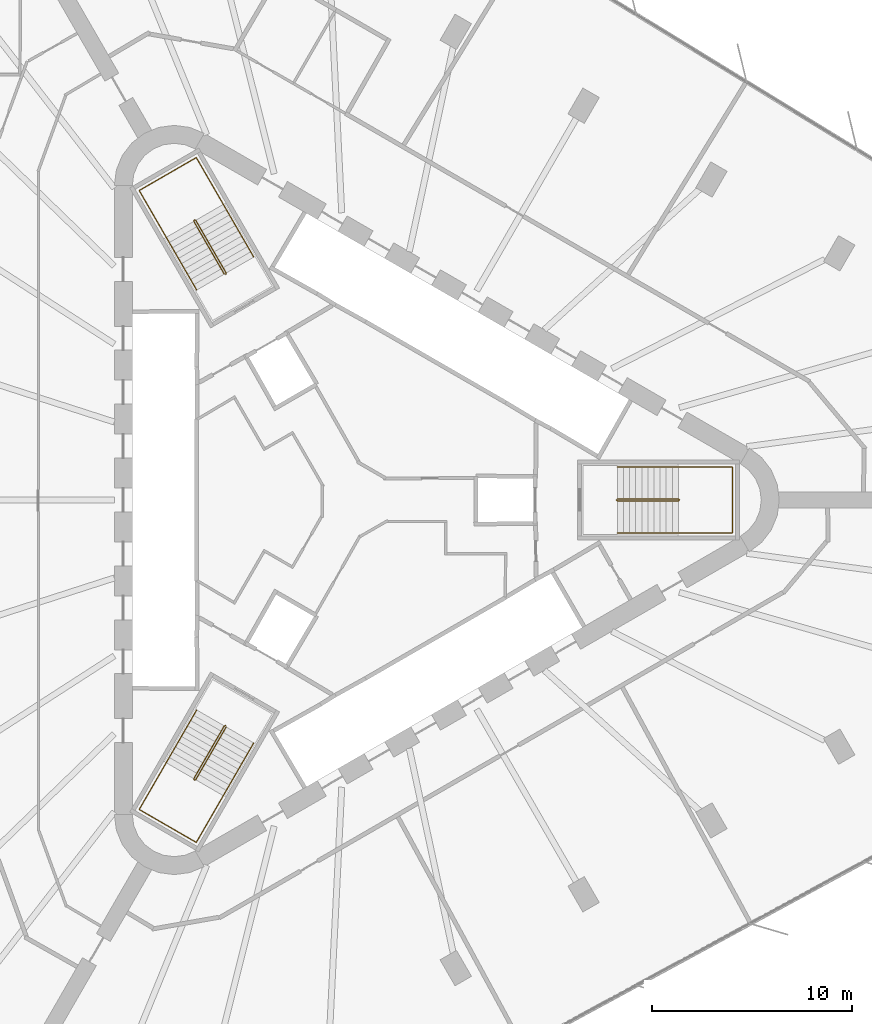
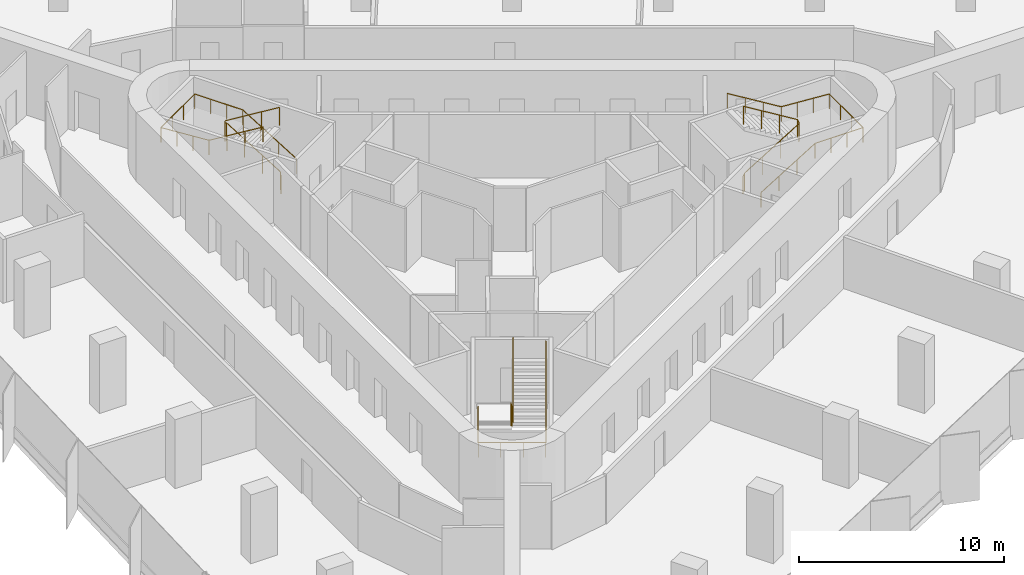
# One storey, part 14 of 14: 6 railings.
"""IFC4 building model written with IfcOpenShell, lengths in metres."""

from ifc_helpers import new_model, si_unit, direction, frame, origin, origin_2d, place, context, subcontext, project, spatial, circle, extrude, material, type_object, element, save


model = new_model("IFC4")

# Units and contexts
model_context = context("Model", 3, precision=1e-05, world=origin(), true_north=direction((0.0, 1.0)))
body_context = subcontext(model_context, "Body", "Model", "MODEL_VIEW")
ifc_project = project(units=[si_unit("LENGTHUNIT", "METRE"), si_unit("AREAUNIT", "SQUARE_METRE"), si_unit("VOLUMEUNIT", "CUBIC_METRE"), si_unit("PLANEANGLEUNIT", "RADIAN"), si_unit("MASSUNIT", "GRAM", prefix="KILO")], contexts=[model_context])

# Site, building, storey
site_placement = place(None, origin())
site = spatial("IfcSite", under=ifc_project, at=site_placement, CompositionType="ELEMENT")
building_placement = place(site_placement, origin())
building = spatial("IfcBuilding", under=site, at=building_placement, Name="Tanit Gate Tower", CompositionType="ELEMENT")
storey_placement = place(building_placement, frame((0.0, 0.0, 119.300048828125)))
storey = spatial("IfcBuildingStorey", under=building, at=storey_placement, Name="L25", CompositionType="ELEMENT", Elevation=119.300048828125)

# Railings
ifc_material_1 = material(Name="Stainless steel balustrade", Category="steel")
railing_type_1 = type_object("IfcRailingType", Name="INT-STAIR-GUARD", PredefinedType="GUARDRAIL", material=ifc_material_1)
railing_1_placement = place(storey_placement, frame((13.044921875, 0.0048828125, 0.0)))
element("IfcRailing", 1, at=railing_1_placement, inside=storey, type_object=railing_type_1, Name="L25 S1 stair guard 1", PredefinedType="GUARDRAIL", context=body_context, shape_type="SweptSolid", body=[
    extrude(circle(Radius=0.02392578125, at=origin_2d()), frame((0.0, 0.0, 1.076171875), z_axis=(0.0, -1.0, 0.0), x_axis=(1.0, 0.0, 0.0)), (0.0, 0.0, 1.0), 0.009765625),
    extrude(circle(Radius=0.02392578125, at=origin_2d()), frame((0.0, -0.009765625, 1.076171875), z_axis=(0.251157038772, -0.251157038772, 0.934794246747), x_axis=(0.707106781187, 0.707106781187, 0.0)), (0.0, 0.0, 1.0), 0.19921875),
    extrude(circle(Radius=0.02392578125, at=origin_2d()), frame((0.050048828125, -0.059814453125, 1.26220703125), z_axis=(0.853374658889, 0.0, 0.521298083217), x_axis=(0.0, 1.0, 0.0)), (0.0, 0.0, 1.0), 3.5751953125),
    extrude(circle(Radius=0.02392578125, at=origin_2d()), frame((3.10107421875, -0.059814453125, 3.1259765625), z_axis=(0.707106781187, 0.707106781187, 0.0), x_axis=(-0.707106781187, 0.707106781187, 0.0)), (0.0, 0.0, 1.0), 0.07080078125),
    extrude(circle(Radius=0.02392578125, at=origin_2d()), frame((3.151123046875, -0.009765625, 3.1259765625), z_axis=(0.0, 1.0, 0.0), x_axis=(-1.0, 0.0, 0.0)), (0.0, 0.0, 1.0), 0.009765625),
    extrude(circle(Radius=0.02392578125, at=origin_2d()), frame((3.151123046875, 0.0, 3.1259765625), z_axis=(-0.251157038772, 0.251157038772, 0.934794246747), x_axis=(-0.707106781187, -0.707106781187, 0.0)), (0.0, 0.0, 1.0), 0.19921875),
    extrude(circle(Radius=0.02392578125, at=origin_2d()), frame((3.10107421875, 0.050048828125, 3.3125), z_axis=(-0.853405036568, 0.0, 0.521248351134), x_axis=(0.0, -1.0, 0.0)), (0.0, 0.0, 1.0), 3.5751953125),
    extrude(circle(Radius=0.02099609375, at=origin_2d()), origin(), (0.0, 0.0, 1.0), 1.052001953125),
    extrude(circle(Radius=0.02099609375, at=origin_2d()), frame((0.0, -0.009765625, 0.0)), (0.0, 0.0, 1.0), 1.052001953125),
    extrude(circle(Radius=0.02099609375, at=origin_2d()), frame((0.050048828125, -0.059814453125, 0.186279296875)), (0.0, 0.0, 1.0), 1.052001953125),
    extrude(circle(Radius=0.02099609375, at=origin_2d()), frame((1.067138671875, -0.059814453125, 0.8076171875)), (0.0, 0.0, 1.0), 1.052001953125),
    extrude(circle(Radius=0.02099609375, at=origin_2d()), frame((2.083984375, -0.059814453125, 1.4287109375)), (0.0, 0.0, 1.0), 1.052001953125),
    extrude(circle(Radius=0.02099609375, at=origin_2d()), frame((3.10107421875, -0.059814453125, 2.050048828125)), (0.0, 0.0, 1.0), 1.052001953125),
    extrude(circle(Radius=0.02099609375, at=origin_2d()), frame((3.151123046875, -0.009765625, 2.050048828125)), (0.0, 0.0, 1.0), 1.052001953125),
    extrude(circle(Radius=0.02099609375, at=origin_2d()), frame((3.151123046875, 0.0, 2.050048828125)), (0.0, 0.0, 1.0), 1.052001953125),
    extrude(circle(Radius=0.02099609375, at=origin_2d()), frame((3.10107421875, 0.050048828125, 2.236328125)), (0.0, 0.0, 1.0), 1.052001953125),
    extrude(circle(Radius=0.02099609375, at=origin_2d()), frame((2.083984375, 0.050048828125, 2.857421875)), (0.0, 0.0, 1.0), 1.052001953125),
    extrude(circle(Radius=0.02099609375, at=origin_2d()), frame((1.067138671875, 0.050048828125, 3.478759765625)), (0.0, 0.0, 1.0), 1.052001953125),
    extrude(circle(Radius=0.02099609375, at=origin_2d()), frame((0.050048828125, 0.050048828125, 4.099853515625)), (0.0, 0.0, 1.0), 1.052001953125),
])
railing_2_placement = place(storey_placement, frame((-6.527099609375, 11.29345703125, 0.0)))
element("IfcRailing", 2, at=railing_2_placement, inside=storey, type_object=railing_type_1, Name="L25 S2 stair guard 1", PredefinedType="GUARDRAIL", context=body_context, shape_type="SweptSolid", body=[
    extrude(circle(Radius=0.02392578125, at=origin_2d()), frame((0.0, 0.0, 1.076171875), z_axis=(0.868243142124, 0.496138938357, 0.0), x_axis=(-0.496138938357, 0.868243142124, 0.0)), (0.0, 0.0, 1.0), 0.01171875),
    extrude(circle(Radius=0.02392578125, at=origin_2d()), frame((0.01025390625, 0.005859375, 1.076171875), z_axis=(0.091888445584, 0.343050196848, 0.93481178641), x_axis=(-0.965948051503, 0.258736085224, 0.0)), (0.0, 0.0, 1.0), 0.19921875),
    extrude(circle(Radius=0.02392578125, at=origin_2d()), frame((0.028564453125, 0.07421875, 1.26220703125), z_axis=(-0.426636495959, 0.738911183393, 0.521528104107), x_axis=(-0.866012246495, -0.500022788402, 0.0)), (0.0, 0.0, 1.0), 3.57373046875),
    extrude(circle(Radius=0.02392578125, at=origin_2d()), frame((-1.49609375, 2.71484375, 3.1259765625), z_axis=(-0.965715946433, 0.259601060869, 0.0), x_axis=(-0.259601060869, -0.965715946433, 0.0)), (0.0, 0.0, 1.0), 0.070556640625),
    extrude(circle(Radius=0.02392578125, at=origin_2d()), frame((-1.564208984375, 2.733154296875, 3.1259765625), z_axis=(-0.873197702015, -0.487366159264, 0.0), x_axis=(0.487366159264, -0.873197702015, 0.0)), (0.0, 0.0, 1.0), 0.011962890625),
    extrude(circle(Radius=0.02392578125, at=origin_2d()), frame((-1.57470703125, 2.727294921875, 3.1259765625), z_axis=(-0.091888445584, -0.343050196848, 0.93481178641), x_axis=(0.965948051503, -0.258736085224, 0.0)), (0.0, 0.0, 1.0), 0.19921875),
    extrude(circle(Radius=0.02392578125, at=origin_2d()), frame((-1.593017578125, 2.658935546875, 3.3125), z_axis=(0.426651696395, -0.73893750972, 0.521478366466), x_axis=(0.866012246495, 0.500022788402, 0.0)), (0.0, 0.0, 1.0), 3.573486328125),
    extrude(circle(Radius=0.02099609375, at=origin_2d()), origin(), (0.0, 0.0, 1.0), 1.052001953125),
    extrude(circle(Radius=0.02099609375, at=origin_2d()), frame((0.01025390625, 0.005859375, 0.0)), (0.0, 0.0, 1.0), 1.052001953125),
    extrude(circle(Radius=0.02099609375, at=origin_2d()), frame((0.028564453125, 0.07421875, 0.186279296875)), (0.0, 0.0, 1.0), 1.052001953125),
    extrude(circle(Radius=0.02099609375, at=origin_2d()), frame((-0.479736328125, 0.954345703125, 0.8076171875)), (0.0, 0.0, 1.0), 1.052001953125),
    extrude(circle(Radius=0.02099609375, at=origin_2d()), frame((-0.98779296875, 1.834716796875, 1.4287109375)), (0.0, 0.0, 1.0), 1.052001953125),
    extrude(circle(Radius=0.02099609375, at=origin_2d()), frame((-1.49609375, 2.71484375, 2.050048828125)), (0.0, 0.0, 1.0), 1.052001953125),
    extrude(circle(Radius=0.02099609375, at=origin_2d()), frame((-1.564208984375, 2.733154296875, 2.050048828125)), (0.0, 0.0, 1.0), 1.052001953125),
    extrude(circle(Radius=0.02099609375, at=origin_2d()), frame((-1.57470703125, 2.727294921875, 2.050048828125)), (0.0, 0.0, 1.0), 1.052001953125),
    extrude(circle(Radius=0.02099609375, at=origin_2d()), frame((-1.593017578125, 2.658935546875, 2.236328125)), (0.0, 0.0, 1.0), 1.052001953125),
    extrude(circle(Radius=0.02099609375, at=origin_2d()), frame((-1.084716796875, 1.77880859375, 2.857421875)), (0.0, 0.0, 1.0), 1.052001953125),
    extrude(circle(Radius=0.02099609375, at=origin_2d()), frame((-0.57666015625, 0.8984375, 3.478759765625)), (0.0, 0.0, 1.0), 1.052001953125),
    extrude(circle(Radius=0.02099609375, at=origin_2d()), frame((-0.068359375, 0.018310546875, 4.099853515625)), (0.0, 0.0, 1.0), 1.052001953125),
])
railing_3_placement = place(storey_placement, frame((-6.51806640625, -11.2998046875, 0.0)))
element("IfcRailing", 3, at=railing_3_placement, inside=storey, type_object=railing_type_1, Name="L25 S3 stair guard 1", PredefinedType="GUARDRAIL", context=body_context, shape_type="SweptSolid", body=[
    extrude(circle(Radius=0.02392578125, at=origin_2d()), frame((0.0, 0.0, 1.076171875), z_axis=(-0.874157276122, 0.485642931179, 0.0), x_axis=(-0.485642931179, -0.874157276122, 0.0)), (0.0, 0.0, 1.0), 0.010009765625),
    extrude(circle(Radius=0.02392578125, at=origin_2d()), frame((-0.0087890625, 0.0048828125, 1.076171875), z_axis=(-0.343088566343, -0.090673406819, 0.934916343285), x_axis=(0.255512919477, -0.966805641264, 0.0)), (0.0, 0.0, 1.0), 0.19921875),
    extrude(circle(Radius=0.02392578125, at=origin_2d()), frame((-0.0771484375, -0.01318359375, 1.26220703125), z_axis=(-0.42665336134, -0.739063593114, 0.52129829713), x_axis=(0.866048339477, -0.499960272111, 0.0)), (0.0, 0.0, 1.0), 3.5751953125),
    extrude(circle(Radius=0.02392578125, at=origin_2d()), frame((-1.6025390625, -2.655517578125, 3.1259765625), z_axis=(0.258736085224, -0.965948051503, 0.0), x_axis=(0.965948051503, 0.258736085224, 0.0)), (0.0, 0.0, 1.0), 0.07080078125),
    extrude(circle(Radius=0.02392578125, at=origin_2d()), frame((-1.584228515625, -2.723876953125, 3.1259765625), z_axis=(0.868243142124, -0.496138938357, 0.0), x_axis=(0.496138938357, 0.868243142124, 0.0)), (0.0, 0.0, 1.0), 0.009765625),
    extrude(circle(Radius=0.02392578125, at=origin_2d()), frame((-1.57568359375, -2.728759765625, 3.1259765625), z_axis=(0.343050196848, 0.091888445584, 0.93481178641), x_axis=(-0.258736085224, 0.965948051503, 0.0)), (0.0, 0.0, 1.0), 0.19921875),
    extrude(circle(Radius=0.02392578125, at=origin_2d()), frame((-1.50732421875, -2.71044921875, 3.3125), z_axis=(0.426745940485, 0.73903737685, 0.521259683745), x_axis=(-0.865993683553, 0.500054937028, 0.0)), (0.0, 0.0, 1.0), 3.574951171875),
    extrude(circle(Radius=0.02099609375, at=origin_2d()), origin(), (0.0, 0.0, 1.0), 1.052001953125),
    extrude(circle(Radius=0.02099609375, at=origin_2d()), frame((-0.0087890625, 0.0048828125, 0.0)), (0.0, 0.0, 1.0), 1.052001953125),
    extrude(circle(Radius=0.02099609375, at=origin_2d()), frame((-0.0771484375, -0.01318359375, 0.186279296875)), (0.0, 0.0, 1.0), 1.052001953125),
    extrude(circle(Radius=0.02099609375, at=origin_2d()), frame((-0.585693359375, -0.89404296875, 0.8076171875)), (0.0, 0.0, 1.0), 1.052001953125),
    extrude(circle(Radius=0.02099609375, at=origin_2d()), frame((-1.093994140625, -1.774658203125, 1.4287109375)), (0.0, 0.0, 1.0), 1.052001953125),
    extrude(circle(Radius=0.02099609375, at=origin_2d()), frame((-1.6025390625, -2.655517578125, 2.050048828125)), (0.0, 0.0, 1.0), 1.052001953125),
    extrude(circle(Radius=0.02099609375, at=origin_2d()), frame((-1.584228515625, -2.723876953125, 2.050048828125)), (0.0, 0.0, 1.0), 1.052001953125),
    extrude(circle(Radius=0.02099609375, at=origin_2d()), frame((-1.57568359375, -2.728759765625, 2.050048828125)), (0.0, 0.0, 1.0), 1.052001953125),
    extrude(circle(Radius=0.02099609375, at=origin_2d()), frame((-1.50732421875, -2.71044921875, 2.236328125)), (0.0, 0.0, 1.0), 1.052001953125),
    extrude(circle(Radius=0.02099609375, at=origin_2d()), frame((-0.998779296875, -1.829833984375, 2.857421875)), (0.0, 0.0, 1.0), 1.052001953125),
    extrude(circle(Radius=0.02099609375, at=origin_2d()), frame((-0.490234375, -0.948974609375, 3.478759765625)), (0.0, 0.0, 1.0), 1.052001953125),
    extrude(circle(Radius=0.02099609375, at=origin_2d()), frame((0.018310546875, -0.068359375, 4.099853515625)), (0.0, 0.0, 1.0), 1.052001953125),
])
ifc_material_2 = material(Name="Stainless steel handrail", Category="steel")
railing_type_2 = type_object("IfcRailingType", Name="INT-STAIR-HANDRAIL", PredefinedType="HANDRAIL", material=ifc_material_2)
railing_4_placement = place(storey_placement, frame((13.094970703125, -1.64990234375, 0.186279296875)))
element("IfcRailing", 4, at=railing_4_placement, inside=storey, type_object=railing_type_2, Name="L25 S1 stair handrail 1", PredefinedType="HANDRAIL", context=body_context, shape_type="SweptSolid", body=[
    extrude(circle(Radius=0.02392578125, at=origin_2d()), frame((0.0, 0.0, 0.8759765625), z_axis=(0.853374658889, 0.0, 0.521298083217), x_axis=(0.0, 1.0, 0.0)), (0.0, 0.0, 1.0), 3.5751953125),
    extrude(circle(Radius=0.02392578125, at=origin_2d()), frame((3.051025390625, 0.0, 2.73974609375), z_axis=(1.0, 0.0, 0.0), x_axis=(0.0, 1.0, 0.0)), (0.0, 0.0, 1.0), 2.7041015625),
    extrude(circle(Radius=0.02392578125, at=origin_2d()), frame((5.755126953125, 0.0, 2.73974609375), z_axis=(0.0, 1.0, 0.0), x_axis=(-1.0, 0.0, 0.0)), (0.0, 0.0, 1.0), 3.2998046875),
    extrude(circle(Radius=0.02392578125, at=origin_2d()), frame((5.755126953125, 3.2998046875, 2.73974609375), z_axis=(-0.997635655124, 0.0, 0.06872481084), x_axis=(0.0, -1.0, 0.0)), (0.0, 0.0, 1.0), 2.71044921875),
    extrude(circle(Radius=0.02392578125, at=origin_2d()), frame((3.051025390625, 3.2998046875, 2.92578125), z_axis=(-0.853405036568, 0.0, 0.521248351134), x_axis=(0.0, -1.0, 0.0)), (0.0, 0.0, 1.0), 3.5751953125),
    extrude(circle(Radius=0.02099609375, at=origin_2d()), origin(), (0.0, 0.0, 1.0), 0.851806640625),
    extrude(circle(Radius=0.02099609375, at=origin_2d()), frame((1.01708984375, 0.0, 0.621337890625)), (0.0, 0.0, 1.0), 0.851806640625),
    extrude(circle(Radius=0.02099609375, at=origin_2d()), frame((2.033935546875, 0.0, 1.242431640625)), (0.0, 0.0, 1.0), 0.851806640625),
    extrude(circle(Radius=0.02099609375, at=origin_2d()), frame((3.051025390625, 0.0, 1.86376953125)), (0.0, 0.0, 1.0), 0.851806640625),
    extrude(circle(Radius=0.02099609375, at=origin_2d()), frame((3.952392578125, 0.0, 1.86376953125)), (0.0, 0.0, 1.0), 0.851806640625),
    extrude(circle(Radius=0.02099609375, at=origin_2d()), frame((4.853759765625, 0.0, 1.86376953125)), (0.0, 0.0, 1.0), 0.851806640625),
    extrude(circle(Radius=0.02099609375, at=origin_2d()), frame((5.755126953125, 0.0, 1.86376953125)), (0.0, 0.0, 1.0), 0.851806640625),
    extrude(circle(Radius=0.02099609375, at=origin_2d()), frame((5.755126953125, 1.099853515625, 1.86376953125)), (0.0, 0.0, 1.0), 0.851806640625),
    extrude(circle(Radius=0.02099609375, at=origin_2d()), frame((5.755126953125, 2.199951171875, 1.86376953125)), (0.0, 0.0, 1.0), 0.851806640625),
    extrude(circle(Radius=0.02099609375, at=origin_2d()), frame((5.755126953125, 3.2998046875, 1.86376953125)), (0.0, 0.0, 1.0), 0.851806640625),
    extrude(circle(Radius=0.02099609375, at=origin_2d()), frame((4.853759765625, 3.2998046875, 1.92578125)), (0.0, 0.0, 1.0), 0.851806640625),
    extrude(circle(Radius=0.02099609375, at=origin_2d()), frame((3.952392578125, 3.2998046875, 1.988037109375)), (0.0, 0.0, 1.0), 0.851806640625),
    extrude(circle(Radius=0.02099609375, at=origin_2d()), frame((3.051025390625, 3.2998046875, 2.050048828125)), (0.0, 0.0, 1.0), 0.851806640625),
    extrude(circle(Radius=0.02099609375, at=origin_2d()), frame((2.033935546875, 3.2998046875, 2.671142578125)), (0.0, 0.0, 1.0), 0.851806640625),
    extrude(circle(Radius=0.02099609375, at=origin_2d()), frame((1.01708984375, 3.2998046875, 3.29248046875)), (0.0, 0.0, 1.0), 0.851806640625),
    extrude(circle(Radius=0.02099609375, at=origin_2d()), frame((0.0, 3.2998046875, 3.91357421875)), (0.0, 0.0, 1.0), 0.851806640625),
])
railing_5_placement = place(storey_placement, frame((-5.1181640625, 12.164794921875, 0.186279296875)))
element("IfcRailing", 5, at=railing_5_placement, inside=storey, type_object=railing_type_2, Name="L25 S2 stair handrail 1", PredefinedType="HANDRAIL", context=body_context, shape_type="SweptSolid", body=[
    extrude(circle(Radius=0.02392578125, at=origin_2d()), frame((0.0, 0.0, 0.8759765625), z_axis=(-0.426580611902, 0.738932719144, 0.521543304174), x_axis=(-0.866046917185, -0.499962735845, 0.0)), (0.0, 0.0, 1.0), 3.573486328125),
    extrude(circle(Radius=0.02392578125, at=origin_2d()), frame((-1.5244140625, 2.640625, 2.73974609375), z_axis=(-0.500019123664, 0.86601436245, 0.0), x_axis=(-0.86601436245, -0.500019123664, 0.0)), (0.0, 0.0, 1.0), 2.70703125),
    extrude(circle(Radius=0.02392578125, at=origin_2d()), frame((-2.8779296875, 4.98486328125, 2.73974609375), z_axis=(-0.866008176907, -0.50002983664, 0.0), x_axis=(0.50002983664, -0.866008176907, 0.0)), (0.0, 0.0, 1.0), 3.300048828125),
    extrude(circle(Radius=0.02392578125, at=origin_2d()), frame((-5.73583984375, 3.334716796875, 2.73974609375), z_axis=(0.498878146149, -0.863948246966, 0.06865873476), x_axis=(0.865991810323, 0.500058181068, 0.0)), (0.0, 0.0, 1.0), 2.713134765625),
    extrude(circle(Radius=0.02392578125, at=origin_2d()), frame((-4.38232421875, 0.99072265625, 2.92578125), z_axis=(0.426630158194, -0.738968522208, 0.521452041232), x_axis=(0.866032263162, 0.499988119021, 0.0)), (0.0, 0.0, 1.0), 3.57373046875),
    extrude(circle(Radius=0.02099609375, at=origin_2d()), origin(), (0.0, 0.0, 1.0), 0.851806640625),
    extrude(circle(Radius=0.02099609375, at=origin_2d()), frame((-0.508056640625, 0.880126953125, 0.621337890625)), (0.0, 0.0, 1.0), 0.851806640625),
    extrude(circle(Radius=0.02099609375, at=origin_2d()), frame((-1.016357421875, 1.760498046875, 1.242431640625)), (0.0, 0.0, 1.0), 0.851806640625),
    extrude(circle(Radius=0.02099609375, at=origin_2d()), frame((-1.5244140625, 2.640625, 1.86376953125)), (0.0, 0.0, 1.0), 0.851806640625),
    extrude(circle(Radius=0.02099609375, at=origin_2d()), frame((-1.9755859375, 3.422119140625, 1.86376953125)), (0.0, 0.0, 1.0), 0.851806640625),
    extrude(circle(Radius=0.02099609375, at=origin_2d()), frame((-2.4267578125, 4.203369140625, 1.86376953125)), (0.0, 0.0, 1.0), 0.851806640625),
    extrude(circle(Radius=0.02099609375, at=origin_2d()), frame((-2.8779296875, 4.98486328125, 1.86376953125)), (0.0, 0.0, 1.0), 0.851806640625),
    extrude(circle(Radius=0.02099609375, at=origin_2d()), frame((-3.83056640625, 4.434814453125, 1.86376953125)), (0.0, 0.0, 1.0), 0.851806640625),
    extrude(circle(Radius=0.02099609375, at=origin_2d()), frame((-4.783203125, 3.884765625, 1.86376953125)), (0.0, 0.0, 1.0), 0.851806640625),
    extrude(circle(Radius=0.02099609375, at=origin_2d()), frame((-5.73583984375, 3.334716796875, 1.86376953125)), (0.0, 0.0, 1.0), 0.851806640625),
    extrude(circle(Radius=0.02099609375, at=origin_2d()), frame((-5.28466796875, 2.553466796875, 1.92578125)), (0.0, 0.0, 1.0), 0.851806640625),
    extrude(circle(Radius=0.02099609375, at=origin_2d()), frame((-4.83349609375, 1.77197265625, 1.988037109375)), (0.0, 0.0, 1.0), 0.851806640625),
    extrude(circle(Radius=0.02099609375, at=origin_2d()), frame((-4.38232421875, 0.99072265625, 2.050048828125)), (0.0, 0.0, 1.0), 0.851806640625),
    extrude(circle(Radius=0.02099609375, at=origin_2d()), frame((-3.8740234375, 0.1103515625, 2.671142578125)), (0.0, 0.0, 1.0), 0.851806640625),
    extrude(circle(Radius=0.02099609375, at=origin_2d()), frame((-3.365966796875, -0.769775390625, 3.29248046875)), (0.0, 0.0, 1.0), 0.851806640625),
    extrude(circle(Radius=0.02099609375, at=origin_2d()), frame((-2.857666015625, -1.650146484375, 3.91357421875)), (0.0, 0.0, 1.0), 0.851806640625),
])
railing_6_placement = place(storey_placement, frame((-7.9765625, -10.515625, 0.186279296875)))
element("IfcRailing", 6, at=railing_6_placement, inside=storey, type_object=railing_type_2, Name="L25 S3 stair handrail 1", PredefinedType="HANDRAIL", context=body_context, shape_type="SweptSolid", body=[
    extrude(circle(Radius=0.02392578125, at=origin_2d()), frame((0.0, 0.0, 0.8759765625), z_axis=(-0.42665336134, -0.739063593114, 0.52129829713), x_axis=(0.866048339477, -0.499960272111, 0.0)), (0.0, 0.0, 1.0), 3.5751953125),
    extrude(circle(Radius=0.02392578125, at=origin_2d()), frame((-1.525390625, -2.642333984375, 2.73974609375), z_axis=(-0.50004290449, -0.866000631449, 0.0), x_axis=(0.866000631449, -0.50004290449, 0.0)), (0.0, 0.0, 1.0), 2.703857421875),
    extrude(circle(Radius=0.02392578125, at=origin_2d()), frame((-2.87744140625, -4.98388671875, 2.73974609375), z_axis=(0.866008176907, -0.50002983664, 0.0), x_axis=(0.50002983664, 0.866008176907, 0.0)), (0.0, 0.0, 1.0), 3.300048828125),
    extrude(circle(Radius=0.02392578125, at=origin_2d()), frame((-0.01953125, -6.634033203125, 2.73974609375), z_axis=(0.498821607388, 0.86397559734, 0.068725331607), x_axis=(-0.866023205937, 0.500003806764, 0.0)), (0.0, 0.0, 1.0), 2.71044921875),
    extrude(circle(Radius=0.02392578125, at=origin_2d()), frame((1.33251953125, -4.292236328125, 2.92578125), z_axis=(0.426668548982, 0.73908990167, 0.521248565042), x_axis=(-0.866048339477, 0.499960272111, 0.0)), (0.0, 0.0, 1.0), 3.5751953125),
    extrude(circle(Radius=0.02099609375, at=origin_2d()), origin(), (0.0, 0.0, 1.0), 0.851806640625),
    extrude(circle(Radius=0.02099609375, at=origin_2d()), frame((-0.508544921875, -0.880859375, 0.621337890625)), (0.0, 0.0, 1.0), 0.851806640625),
    extrude(circle(Radius=0.02099609375, at=origin_2d()), frame((-1.016845703125, -1.761474609375, 1.242431640625)), (0.0, 0.0, 1.0), 0.851806640625),
    extrude(circle(Radius=0.02099609375, at=origin_2d()), frame((-1.525390625, -2.642333984375, 1.86376953125)), (0.0, 0.0, 1.0), 0.851806640625),
    extrude(circle(Radius=0.02099609375, at=origin_2d()), frame((-1.97607421875, -3.4228515625, 1.86376953125)), (0.0, 0.0, 1.0), 0.851806640625),
    extrude(circle(Radius=0.02099609375, at=origin_2d()), frame((-2.4267578125, -4.203369140625, 1.86376953125)), (0.0, 0.0, 1.0), 0.851806640625),
    extrude(circle(Radius=0.02099609375, at=origin_2d()), frame((-2.87744140625, -4.98388671875, 1.86376953125)), (0.0, 0.0, 1.0), 0.851806640625),
    extrude(circle(Radius=0.02099609375, at=origin_2d()), frame((-1.9248046875, -5.533935546875, 1.86376953125)), (0.0, 0.0, 1.0), 0.851806640625),
    extrude(circle(Radius=0.02099609375, at=origin_2d()), frame((-0.97216796875, -6.083984375, 1.86376953125)), (0.0, 0.0, 1.0), 0.851806640625),
    extrude(circle(Radius=0.02099609375, at=origin_2d()), frame((-0.01953125, -6.634033203125, 1.86376953125)), (0.0, 0.0, 1.0), 0.851806640625),
    extrude(circle(Radius=0.02099609375, at=origin_2d()), frame((0.43115234375, -5.853515625, 1.92578125)), (0.0, 0.0, 1.0), 0.851806640625),
    extrude(circle(Radius=0.02099609375, at=origin_2d()), frame((0.8818359375, -5.07275390625, 1.988037109375)), (0.0, 0.0, 1.0), 0.851806640625),
    extrude(circle(Radius=0.02099609375, at=origin_2d()), frame((1.33251953125, -4.292236328125, 2.050048828125)), (0.0, 0.0, 1.0), 0.851806640625),
    extrude(circle(Radius=0.02099609375, at=origin_2d()), frame((1.841064453125, -3.411376953125, 2.671142578125)), (0.0, 0.0, 1.0), 0.851806640625),
    extrude(circle(Radius=0.02099609375, at=origin_2d()), frame((2.349365234375, -2.53076171875, 3.29248046875)), (0.0, 0.0, 1.0), 0.851806640625),
    extrude(circle(Radius=0.02099609375, at=origin_2d()), frame((2.85791015625, -1.64990234375, 3.91357421875)), (0.0, 0.0, 1.0), 0.851806640625),
])

save(model, "model.ifc")
